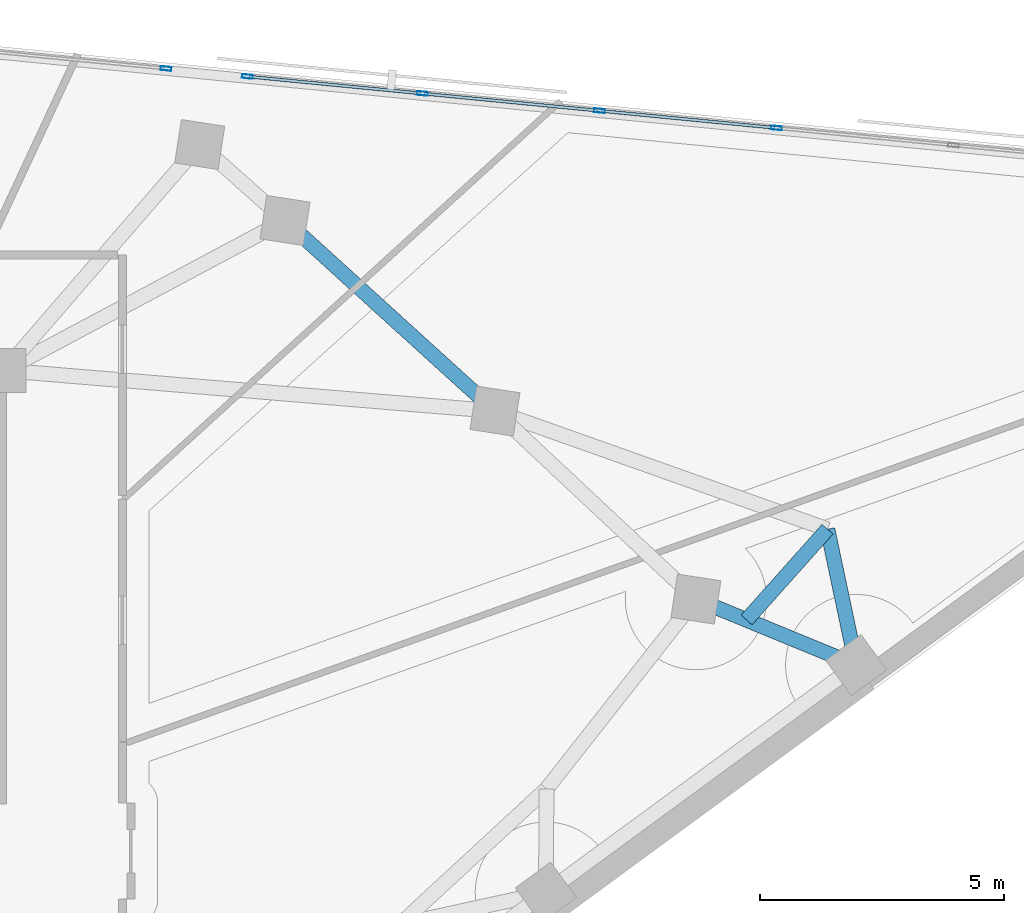
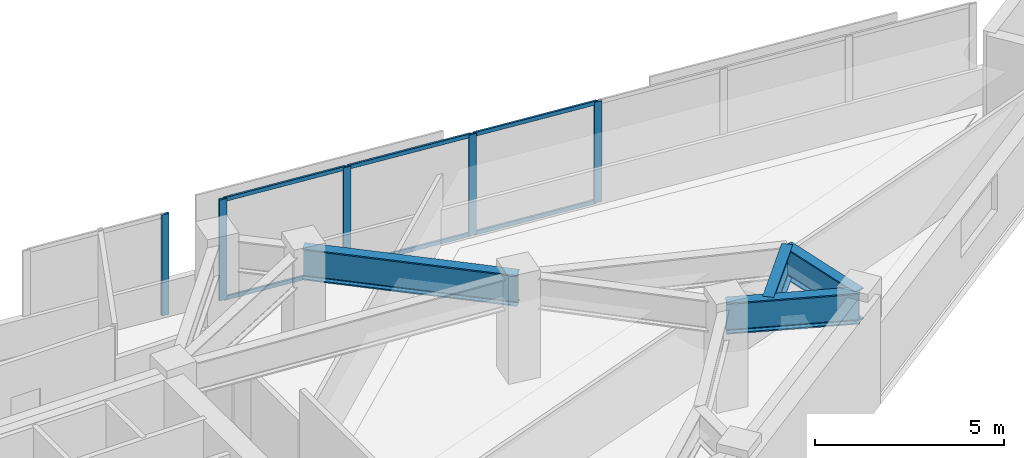
# One storey, part 5 of 14: 11 members, 4 beams, 2 elements without a shape of their own.
"""IFC4 building model written with IfcOpenShell, lengths in metres."""

from ifc_helpers import new_model, si_unit, direction, frame, origin, origin_2d, place, context, subcontext, project, spatial, hollow_rectangle, i_section, extrude, material, material_profile, profile_set, type_object, element, aggregate, save


model = new_model("IFC4")

# Units and contexts
model_context = context("Model", 3, precision=1e-05, world=origin(), true_north=direction((0.0, 1.0)))
body_context = subcontext(model_context, "Body", "Model", "MODEL_VIEW")
ifc_project = project(units=[si_unit("LENGTHUNIT", "METRE"), si_unit("AREAUNIT", "SQUARE_METRE"), si_unit("VOLUMEUNIT", "CUBIC_METRE"), si_unit("PLANEANGLEUNIT", "RADIAN"), si_unit("MASSUNIT", "GRAM", prefix="KILO")], contexts=[model_context])

# Site, building, storey
site_placement = place(None, origin())
site = spatial("IfcSite", under=ifc_project, at=site_placement, CompositionType="ELEMENT")
building_placement = place(site_placement, origin())
building = spatial("IfcBuilding", under=site, at=building_placement, Name="Narakoshi Arena Tower", CompositionType="ELEMENT")
storey_placement = place(building_placement, frame((0.0, 0.0, 260.739990234375)))
storey = spatial("IfcBuildingStorey", under=building, at=storey_placement, Name="L71", CompositionType="ELEMENT", Elevation=260.739990234375)

# Beams
ifc_material_1 = material(Name="Structural steel S460ML", Category="steel")
ifc_material_profile_1 = material_profile(ifc_material_1, i_section(OverallWidth=0.302001953125, OverallDepth=1.008056640625, WebThickness=0.02099609375, FlangeThickness=0.0400390625, FilletRadius=0.030029296875, at=origin_2d()), Name="HE1000M")
ifc_profile_set_1 = profile_set([ifc_material_profile_1], Name="Structural steel S460ML")
beam_type = type_object("IfcBeamType", Name="BM-XFER-1000", PredefinedType="BEAM", material=ifc_profile_set_1)
beam_1_placement = place(storey_placement, frame((103.032470703125, 50.45361328125, 2.756103515625), z_axis=(-0.924787502584, 0.380484001063, 0.0), x_axis=(-0.380484001063, -0.924787502584, 0.0)))
element("IfcBeam", 1, at=beam_1_placement, inside=storey, type_object=beam_type, Name="L71 Perimeter Transfer Ring Girder 03", PredefinedType="BEAM", context=body_context, shape_type="SweptSolid", body=[
    extrude(i_section(OverallWidth=0.302001953125, OverallDepth=1.008056640625, WebThickness=0.02099609375, FlangeThickness=0.0400390625, FilletRadius=0.030029296875, at=origin_2d()), origin(), (0.0, 0.0, 1.0), 3.557373046875),
])
beam_2_placement = place(storey_placement, frame((95.619384765625, 55.665283203125, 2.756103515625), z_axis=(-0.740395559013, 0.672171418757, 0.0), x_axis=(-0.672171418757, -0.740395559013, 0.0)))
element("IfcBeam", 2, at=beam_2_placement, inside=storey, type_object=beam_type, Name="L71 Perimeter Transfer Ring Girder 05", PredefinedType="BEAM", context=body_context, shape_type="SweptSolid", body=[
    extrude(i_section(OverallWidth=0.302001953125, OverallDepth=1.008056640625, WebThickness=0.02099609375, FlangeThickness=0.0400390625, FilletRadius=0.030029296875, at=origin_2d()), origin(), (0.0, 0.0, 1.0), 5.818603515625),
])
beam_3_placement = place(storey_placement, frame((103.032470703125, 50.45361328125, 2.756103515625), z_axis=(-0.206679522179, 0.978408695337, 0.0), x_axis=(-0.978408695337, -0.206679522179, 0.0)))
element("IfcBeam", 3, at=beam_3_placement, inside=storey, type_object=beam_type, Name="L71 Block-Turn Transfer Node Girder 03-1", PredefinedType="BEAM", context=body_context, shape_type="SweptSolid", body=[
    extrude(i_section(OverallWidth=0.302001953125, OverallDepth=1.008056640625, WebThickness=0.02099609375, FlangeThickness=0.0400390625, FilletRadius=0.030029296875, at=origin_2d()), origin(), (0.0, 0.0, 1.0), 2.850341796875),
])
beam_4_placement = place(storey_placement, frame((102.443359375, 53.242431640625, 2.756103515625), z_axis=(-0.66566195764, -0.746253414163, 0.0), x_axis=(0.746253414163, -0.66566195764, 0.0)))
element("IfcBeam", 4, at=beam_4_placement, inside=storey, type_object=beam_type, Name="L71 Upper-Block Transfer Ring Girder 03", PredefinedType="BEAM", context=body_context, shape_type="SweptSolid", body=[
    extrude(i_section(OverallWidth=0.302001953125, OverallDepth=1.008056640625, WebThickness=0.02099609375, FlangeThickness=0.0400390625, FilletRadius=0.030029296875, at=origin_2d()), origin(), (0.0, 0.0, 1.0), 2.49609375),
])

# Curtain wall, members
ifc_material_2 = material(Name="Anodised bronze aluminium 6063-T6", Category="aluminium")
curtain_wall_type = type_object("IfcCurtainWallType", Name="CW-HYP-HIGH", PredefinedType="NOTDEFINED", material=ifc_material_2)
curtain_wall_1_placement = place(storey_placement, origin())
curtain_wall_1 = element("IfcCurtainWall", 5, at=curtain_wall_1_placement, inside=storey, type_object=curtain_wall_type, Name="L71 Folded Hypotenuse Curtain Wall 1-1", PredefinedType="NOTDEFINED")
ifc_material_profile_2 = material_profile(ifc_material_2, hollow_rectangle(XDim=0.080078125, YDim=0.219970703125, WallThickness=0.0048828125, OuterFilletRadius=0.006103515625, at=origin_2d()), Name="MUL220x80x5")
ifc_profile_set_2 = profile_set([ifc_material_profile_2], Name="Anodised bronze aluminium 6063-T6")
member_type_1 = type_object("IfcMemberType", Name="MEM-MUL-220", PredefinedType="MULLION", material=ifc_profile_set_2)
member_1_placement = place(storey_placement, frame((101.3955078125, 61.47509765625, 0.0), z_axis=(0.0, 0.0, 1.0), x_axis=(-0.096851320996, -0.995298860454, 0.0)))
member_1 = element("IfcMember", 6, at=member_1_placement, type_object=member_type_1, Name="CW-03 mullion 4", PredefinedType="MULLION", context=body_context, shape_type="SweptSolid", body=[
    extrude(hollow_rectangle(XDim=0.080078125, YDim=0.219970703125, WallThickness=0.0048828125, OuterFilletRadius=0.006103515625, at=origin_2d()), origin(), (0.0, 0.0, 1.0), 3.260009765625),
])
member_2_placement = place(storey_placement, frame((97.763916015625, 61.828369140625, 0.0), z_axis=(0.0, 0.0, 1.0), x_axis=(-0.096851320996, -0.995298860454, 0.0)))
member_2 = element("IfcMember", 7, at=member_2_placement, type_object=member_type_1, Name="CW-03 mullion 5", PredefinedType="MULLION", context=body_context, shape_type="SweptSolid", body=[
    extrude(hollow_rectangle(XDim=0.080078125, YDim=0.219970703125, WallThickness=0.0048828125, OuterFilletRadius=0.006103515625, at=origin_2d()), origin(), (0.0, 0.0, 1.0), 3.260009765625),
])
member_3_placement = place(storey_placement, frame((94.13232421875, 62.181884765625, 0.0), z_axis=(0.0, 0.0, 1.0), x_axis=(-0.096851320996, -0.995298860454, 0.0)))
member_3 = element("IfcMember", 8, at=member_3_placement, type_object=member_type_1, Name="CW-03 mullion 6", PredefinedType="MULLION", context=body_context, shape_type="SweptSolid", body=[
    extrude(hollow_rectangle(XDim=0.080078125, YDim=0.219970703125, WallThickness=0.0048828125, OuterFilletRadius=0.006103515625, at=origin_2d()), origin(), (0.0, 0.0, 1.0), 3.260009765625),
])
member_4_placement = place(storey_placement, frame((90.54052734375, 62.53125, 0.0), z_axis=(0.0, 0.0, 1.0), x_axis=(-0.096851320996, -0.995298860454, 0.0)))
member_4 = element("IfcMember", 9, at=member_4_placement, type_object=member_type_1, Name="CW-03 mullion 7", PredefinedType="MULLION", context=body_context, shape_type="SweptSolid", body=[
    extrude(hollow_rectangle(XDim=0.080078125, YDim=0.219970703125, WallThickness=0.0048828125, OuterFilletRadius=0.006103515625, at=origin_2d()), origin(), (0.0, 0.0, 1.0), 3.260009765625),
])

# Curtain wall, member
curtain_wall_2_placement = place(storey_placement, origin())
curtain_wall_2 = element("IfcCurtainWall", 10, at=curtain_wall_2_placement, inside=storey, type_object=curtain_wall_type, Name="L71 Folded Hypotenuse Curtain Wall 1-2", PredefinedType="NOTDEFINED")
member_5_placement = place(storey_placement, frame((88.87060546875, 62.69384765625, 0.0), z_axis=(0.0, 0.0, 1.0), x_axis=(-0.096842858471, -0.995299683896, 0.0)))
member_5 = element("IfcMember", 11, at=member_5_placement, type_object=member_type_1, Name="CW-03 mullion 1", PredefinedType="MULLION", context=body_context, shape_type="SweptSolid", body=[
    extrude(hollow_rectangle(XDim=0.080078125, YDim=0.219970703125, WallThickness=0.0048828125, OuterFilletRadius=0.006103515625, at=origin_2d()), origin(), (0.0, 0.0, 1.0), 3.260009765625),
])
aggregate(curtain_wall_2, [member_5])

# Member
ifc_material_profile_3 = material_profile(ifc_material_2, hollow_rectangle(XDim=0.06494140625, YDim=0.1298828125, WallThickness=0.00390625, OuterFilletRadius=0.0048828125, at=origin_2d()), Name="TRN130x65x4")
ifc_profile_set_3 = profile_set([ifc_material_profile_3], Name="Anodised bronze aluminium 6063-T6")
member_type_2 = type_object("IfcMemberType", Name="MEM-TRN-130", PredefinedType="USERDEFINED", material=ifc_profile_set_3)
member_6_placement = place(storey_placement, frame((101.355712890625, 61.47900390625, 0.032470703125), z_axis=(-0.995303775278, 0.096800800194, 0.0), x_axis=(-0.096800800194, -0.995303775278, 0.0)))
member_6 = element("IfcMember", 12, at=member_6_placement, type_object=member_type_2, Name="CW-03 transom 4.1", ObjectType="TRANSOM", PredefinedType="USERDEFINED", context=body_context, shape_type="SweptSolid", body=[
    extrude(hollow_rectangle(XDim=0.06494140625, YDim=0.1298828125, WallThickness=0.00390625, OuterFilletRadius=0.0048828125, at=origin_2d()), origin(), (0.0, 0.0, 1.0), 3.56884765625),
])

member_7_placement = place(storey_placement, frame((101.355712890625, 61.47900390625, 3.2275390625), z_axis=(-0.995303775278, 0.096800800194, 0.0), x_axis=(-0.096800800194, -0.995303775278, 0.0)))
member_7 = element("IfcMember", 13, at=member_7_placement, type_object=member_type_2, Name="CW-03 transom 4.2", ObjectType="TRANSOM", PredefinedType="USERDEFINED", context=body_context, shape_type="SweptSolid", body=[
    extrude(hollow_rectangle(XDim=0.06494140625, YDim=0.1298828125, WallThickness=0.00390625, OuterFilletRadius=0.0048828125, at=origin_2d()), origin(), (0.0, 0.0, 1.0), 3.56884765625),
])

member_8_placement = place(storey_placement, frame((97.72412109375, 61.832275390625, 0.032470703125), z_axis=(-0.995297181926, 0.096868568947, 0.0), x_axis=(-0.096868568947, -0.995297181926, 0.0)))
member_8 = element("IfcMember", 14, at=member_8_placement, type_object=member_type_2, Name="CW-03 transom 5.1", ObjectType="TRANSOM", PredefinedType="USERDEFINED", context=body_context, shape_type="SweptSolid", body=[
    extrude(hollow_rectangle(XDim=0.06494140625, YDim=0.1298828125, WallThickness=0.00390625, OuterFilletRadius=0.0048828125, at=origin_2d()), origin(), (0.0, 0.0, 1.0), 3.56884765625),
])

member_9_placement = place(storey_placement, frame((97.72412109375, 61.832275390625, 3.2275390625), z_axis=(-0.995297181926, 0.096868568947, 0.0), x_axis=(-0.096868568947, -0.995297181926, 0.0)))
member_9 = element("IfcMember", 15, at=member_9_placement, type_object=member_type_2, Name="CW-03 transom 5.2", ObjectType="TRANSOM", PredefinedType="USERDEFINED", context=body_context, shape_type="SweptSolid", body=[
    extrude(hollow_rectangle(XDim=0.06494140625, YDim=0.1298828125, WallThickness=0.00390625, OuterFilletRadius=0.0048828125, at=origin_2d()), origin(), (0.0, 0.0, 1.0), 3.56884765625),
])

member_10_placement = place(storey_placement, frame((94.092529296875, 62.185791015625, 0.032470703125), z_axis=(-0.995304755232, 0.096790723799, 0.0), x_axis=(-0.096790723799, -0.995304755232, 0.0)))
member_10 = element("IfcMember", 16, at=member_10_placement, type_object=member_type_2, Name="CW-03 transom 6.1", ObjectType="TRANSOM", PredefinedType="USERDEFINED", context=body_context, shape_type="SweptSolid", body=[
    extrude(hollow_rectangle(XDim=0.06494140625, YDim=0.1298828125, WallThickness=0.00390625, OuterFilletRadius=0.0048828125, at=origin_2d()), origin(), (0.0, 0.0, 1.0), 3.52880859375),
])

member_11_placement = place(storey_placement, frame((94.092529296875, 62.185791015625, 3.2275390625), z_axis=(-0.995304755232, 0.096790723799, 0.0), x_axis=(-0.096790723799, -0.995304755232, 0.0)))
member_11 = element("IfcMember", 17, at=member_11_placement, type_object=member_type_2, Name="CW-03 transom 6.2", ObjectType="TRANSOM", PredefinedType="USERDEFINED", context=body_context, shape_type="SweptSolid", body=[
    extrude(hollow_rectangle(XDim=0.06494140625, YDim=0.1298828125, WallThickness=0.00390625, OuterFilletRadius=0.0048828125, at=origin_2d()), origin(), (0.0, 0.0, 1.0), 3.52880859375),
])

aggregate(curtain_wall_1, [member_1, member_2, member_3, member_4, member_6, member_7, member_8, member_9, member_10, member_11])

save(model, "model.ifc")
